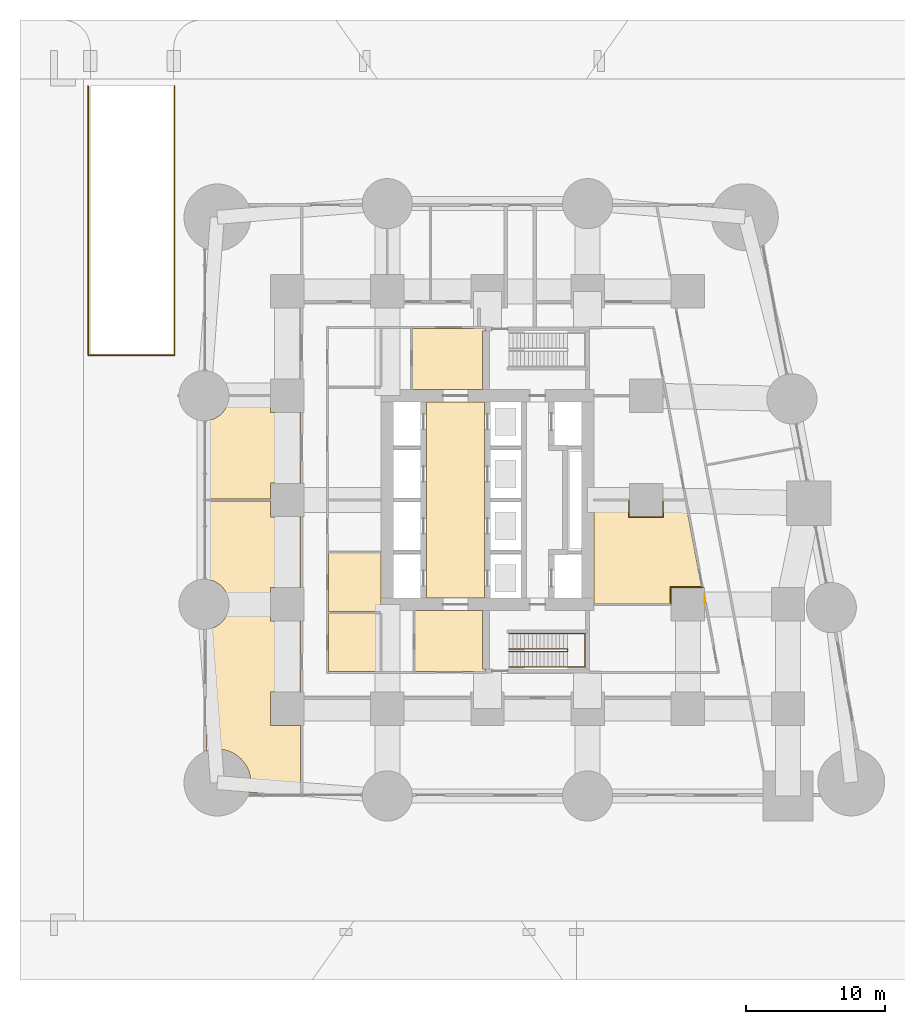
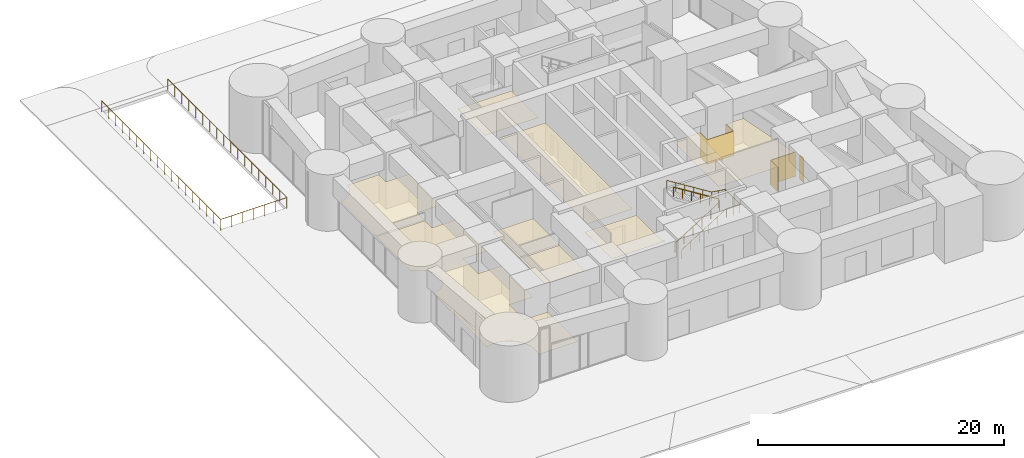
# One storey, part 14 of 16: 11 coverings, 3 railings.
"""IFC4 building model written with IfcOpenShell, lengths in metres."""

from ifc_helpers import new_model, si_unit, direction, frame, origin, origin_2d, place, context, subcontext, project, spatial, polyline, circle, outline, extrude, material, layer, layer_set, type_object, element, save


model = new_model("IFC4")

# Units and contexts
model_context = context("Model", 3, precision=1e-05, world=origin(), true_north=direction((0.0, 1.0)))
body_context = subcontext(model_context, "Body", "Model", "MODEL_VIEW")
ifc_project = project(units=[si_unit("LENGTHUNIT", "METRE"), si_unit("AREAUNIT", "SQUARE_METRE"), si_unit("VOLUMEUNIT", "CUBIC_METRE"), si_unit("PLANEANGLEUNIT", "RADIAN"), si_unit("MASSUNIT", "GRAM", prefix="KILO")], contexts=[model_context])

# Site, building, storey
site_placement = place(None, origin())
site = spatial("IfcSite", under=ifc_project, at=site_placement, CompositionType="ELEMENT")
building_placement = place(site_placement, origin())
building = spatial("IfcBuilding", under=site, at=building_placement, Name="Sheger Commons Tower", CompositionType="ELEMENT")
storey_placement = place(building_placement, origin())
storey = spatial("IfcBuildingStorey", under=building, at=storey_placement, Name="L00", CompositionType="ELEMENT", Elevation=0.0)

# Railings
ifc_material_1 = material(Name="Steel handrail, black powder-coated", Category="steel")
railing_type_1 = type_object("IfcRailingType", Name="HANDRAIL 900", PredefinedType="HANDRAIL", material=ifc_material_1)
railing_1_placement = place(storey_placement, frame((23.14990234375, 11.60009765625, 0.175048828125)))
element("IfcRailing", 1, at=railing_1_placement, inside=storey, type_object=railing_type_1, Name="Stair S1 handrail L00", PredefinedType="HANDRAIL", context=body_context, shape_type="SweptSolid", body=[
    extrude(circle(Radius=0.02392578125, at=origin_2d()), frame((0.0, 0.0, 0.8759765625), z_axis=(0.848009380541, 0.0, 0.529981217134), x_axis=(0.0, 1.0, 0.0)), (0.0, 0.0, 1.0), 4.953125),
    extrude(circle(Radius=0.02392578125, at=origin_2d()), frame((4.2001953125, 0.0, 3.5009765625), z_axis=(0.0, 0.752405939678, 0.658699705433), x_axis=(-1.0, 0.0, 0.0)), (0.0, 0.0, 1.0), 0.265869140625),
    extrude(circle(Radius=0.02392578125, at=origin_2d()), frame((4.2001953125, 0.199951171875, 3.67578125), z_axis=(-0.848009380541, 0.0, 0.529981217134), x_axis=(0.0, -1.0, 0.0)), (0.0, 0.0, 1.0), 4.953125),
    extrude(circle(Radius=0.02099609375, at=origin_2d()), origin(), (0.0, 0.0, 1.0), 0.851806640625),
    extrude(circle(Radius=0.02099609375, at=origin_2d()), frame((0.840087890625, 0.0, 0.52490234375)), (0.0, 0.0, 1.0), 0.851806640625),
    extrude(circle(Radius=0.02099609375, at=origin_2d()), frame((1.68017578125, 0.0, 1.050048828125)), (0.0, 0.0, 1.0), 0.851806640625),
    extrude(circle(Radius=0.02099609375, at=origin_2d()), frame((2.52001953125, 0.0, 1.574951171875)), (0.0, 0.0, 1.0), 0.851806640625),
    extrude(circle(Radius=0.02099609375, at=origin_2d()), frame((3.360107421875, 0.0, 2.10009765625)), (0.0, 0.0, 1.0), 0.851806640625),
    extrude(circle(Radius=0.02099609375, at=origin_2d()), frame((4.2001953125, 0.0, 2.625)), (0.0, 0.0, 1.0), 0.851806640625),
    extrude(circle(Radius=0.02099609375, at=origin_2d()), frame((4.2001953125, 0.199951171875, 2.800048828125)), (0.0, 0.0, 1.0), 0.851806640625),
    extrude(circle(Radius=0.02099609375, at=origin_2d()), frame((3.360107421875, 0.199951171875, 3.324951171875)), (0.0, 0.0, 1.0), 0.851806640625),
    extrude(circle(Radius=0.02099609375, at=origin_2d()), frame((2.52001953125, 0.199951171875, 3.85009765625)), (0.0, 0.0, 1.0), 0.851806640625),
    extrude(circle(Radius=0.02099609375, at=origin_2d()), frame((1.68017578125, 0.199951171875, 4.375)), (0.0, 0.0, 1.0), 0.851806640625),
    extrude(circle(Radius=0.02099609375, at=origin_2d()), frame((0.840087890625, 0.199951171875, 4.900146484375)), (0.0, 0.0, 1.0), 0.851806640625),
    extrude(circle(Radius=0.02099609375, at=origin_2d()), frame((0.0, 0.199951171875, 5.425048828125)), (0.0, 0.0, 1.0), 0.851806640625),
])
railing_2_placement = place(storey_placement, frame((23.14990234375, 10.5, 0.175048828125)))
element("IfcRailing", 2, at=railing_2_placement, inside=storey, type_object=railing_type_1, Name="Stair S1 handrail L00", PredefinedType="HANDRAIL", context=body_context, shape_type="SweptSolid", body=[
    extrude(circle(Radius=0.02392578125, at=origin_2d()), frame((0.0, 0.0, 0.8759765625), z_axis=(0.848009380541, 0.0, 0.529981217134), x_axis=(0.0, 1.0, 0.0)), (0.0, 0.0, 1.0), 4.953125),
    extrude(circle(Radius=0.02392578125, at=origin_2d()), frame((4.2001953125, 0.0, 3.5009765625), z_axis=(1.0, 0.0, 0.0), x_axis=(0.0, 1.0, 0.0)), (0.0, 0.0, 1.0), 1.25),
    extrude(circle(Radius=0.02392578125, at=origin_2d()), frame((5.4501953125, 0.0, 3.5009765625), z_axis=(0.0, 1.0, 0.0), x_axis=(-1.0, 0.0, 0.0)), (0.0, 0.0, 1.0), 2.39990234375),
    extrude(circle(Radius=0.02392578125, at=origin_2d()), frame((5.4501953125, 2.39990234375, 3.5009765625), z_axis=(-0.990336434156, 0.0, 0.138685785799), x_axis=(0.0, -1.0, 0.0)), (0.0, 0.0, 1.0), 1.26220703125),
    extrude(circle(Radius=0.02392578125, at=origin_2d()), frame((4.2001953125, 2.39990234375, 3.67578125), z_axis=(-0.848009380541, 0.0, 0.529981217134), x_axis=(0.0, -1.0, 0.0)), (0.0, 0.0, 1.0), 4.953125),
    extrude(circle(Radius=0.02099609375, at=origin_2d()), origin(), (0.0, 0.0, 1.0), 0.851806640625),
    extrude(circle(Radius=0.02099609375, at=origin_2d()), frame((0.840087890625, 0.0, 0.52490234375)), (0.0, 0.0, 1.0), 0.851806640625),
    extrude(circle(Radius=0.02099609375, at=origin_2d()), frame((1.68017578125, 0.0, 1.050048828125)), (0.0, 0.0, 1.0), 0.851806640625),
    extrude(circle(Radius=0.02099609375, at=origin_2d()), frame((2.52001953125, 0.0, 1.574951171875)), (0.0, 0.0, 1.0), 0.851806640625),
    extrude(circle(Radius=0.02099609375, at=origin_2d()), frame((3.360107421875, 0.0, 2.10009765625)), (0.0, 0.0, 1.0), 0.851806640625),
    extrude(circle(Radius=0.02099609375, at=origin_2d()), frame((4.2001953125, 0.0, 2.625)), (0.0, 0.0, 1.0), 0.851806640625),
    extrude(circle(Radius=0.02099609375, at=origin_2d()), frame((4.8251953125, 0.0, 2.625)), (0.0, 0.0, 1.0), 0.851806640625),
    extrude(circle(Radius=0.02099609375, at=origin_2d()), frame((5.4501953125, 0.0, 2.625)), (0.0, 0.0, 1.0), 0.851806640625),
    extrude(circle(Radius=0.02099609375, at=origin_2d()), frame((5.4501953125, 1.199951171875, 2.625)), (0.0, 0.0, 1.0), 0.851806640625),
    extrude(circle(Radius=0.02099609375, at=origin_2d()), frame((5.4501953125, 2.39990234375, 2.625)), (0.0, 0.0, 1.0), 0.851806640625),
    extrude(circle(Radius=0.02099609375, at=origin_2d()), frame((4.8251953125, 2.39990234375, 2.71240234375)), (0.0, 0.0, 1.0), 0.851806640625),
    extrude(circle(Radius=0.02099609375, at=origin_2d()), frame((4.2001953125, 2.39990234375, 2.800048828125)), (0.0, 0.0, 1.0), 0.851806640625),
    extrude(circle(Radius=0.02099609375, at=origin_2d()), frame((3.360107421875, 2.39990234375, 3.324951171875)), (0.0, 0.0, 1.0), 0.851806640625),
    extrude(circle(Radius=0.02099609375, at=origin_2d()), frame((2.52001953125, 2.39990234375, 3.85009765625)), (0.0, 0.0, 1.0), 0.851806640625),
    extrude(circle(Radius=0.02099609375, at=origin_2d()), frame((1.68017578125, 2.39990234375, 4.375)), (0.0, 0.0, 1.0), 0.851806640625),
    extrude(circle(Radius=0.02099609375, at=origin_2d()), frame((0.840087890625, 2.39990234375, 4.900146484375)), (0.0, 0.0, 1.0), 0.851806640625),
    extrude(circle(Radius=0.02099609375, at=origin_2d()), frame((0.0, 2.39990234375, 5.425048828125)), (0.0, 0.0, 1.0), 0.851806640625),
])

# Coverings
ifc_material_2 = material(Name="Moisture-resistant gypsum plasterboard 15 mm on a suspended galvanised steel grid", Category="steel")
ifc_layer_1 = layer(ifc_material_2, 0.014892578125)
ifc_layer_set_1 = layer_set([ifc_layer_1], Name="MOISTURE-RESISTANT CEILING 15")
covering_type_1 = type_object("IfcCoveringType", Name="MOISTURE-RESISTANT CEILING 15", PredefinedType="CEILING", material=ifc_layer_set_1)
covering_1_placement = place(storey_placement, frame((0.0, 0.0, 2.39990234375)))
element("IfcCovering", 3, at=covering_1_placement, inside=storey, type_object=covering_type_1, Name="L00-SVW0 ceiling", PredefinedType="CEILING", context=body_context, shape_type="SweptSolid", body=[
    extrude(outline(polyline([(10.16796875, 10.16796875), (13.882080078125, 10.16796875), (13.882080078125, 14.33203125), (10.16796875, 14.33203125), (10.16796875, 10.16796875)])), origin(), (0.0, 0.0, 1.0), 0.01513671875),
])
covering_2_placement = place(storey_placement, frame((0.0, 0.0, 2.39990234375)))
element("IfcCovering", 4, at=covering_2_placement, inside=storey, type_object=covering_type_1, Name="L00-SVE1 ceiling", PredefinedType="CEILING", context=body_context, shape_type="SweptSolid", body=[
    extrude(outline(polyline([(29.2548828125, 15.068115234375), (34.794921875, 15.068115234375), (34.794921875, 16.205078125), (36.991943359375, 16.205078125), (35.802978515625, 22.4990234375), (35.801025390625, 22.4990234375), (35.801025390625, 22.43310546875), (34.205078125, 22.43310546875), (34.205078125, 21.294921875), (31.794921875, 21.294921875), (31.794921875, 22.43310546875), (29.2548828125, 22.43310546875), (29.2548828125, 15.068115234375)])), origin(), (0.0, 0.0, 1.0), 0.01513671875),
])
covering_3_placement = place(storey_placement, frame((0.0, 0.0, 2.39990234375)))
element("IfcCovering", 5, at=covering_3_placement, inside=storey, type_object=covering_type_1, Name="L00-SVW1 ceiling", PredefinedType="CEILING", context=body_context, shape_type="SweptSolid", body=[
    extrude(outline(polyline([(13.89306640625, 14.39990234375), (13.949951171875, 14.39990234375), (13.949951171875, 14.544921875), (13.945068359375, 14.544921875), (13.945068359375, 15.455078125), (13.949951171875, 15.455078125), (13.949951171875, 18.68310546875), (10.16796875, 18.68310546875), (10.16796875, 14.468017578125), (13.89306640625, 14.468017578125), (13.89306640625, 14.39990234375)])), origin(), (0.0, 0.0, 1.0), 0.01513671875),
])
ifc_material_3 = material(Name="Gypsum plasterboard 15 mm on a suspended steel grid", Category="steel")
ifc_layer_2 = layer(ifc_material_3, 0.014892578125)
ifc_layer_set_2 = layer_set([ifc_layer_2], Name="SUSPENDED CEILING 15")
covering_type_2 = type_object("IfcCoveringType", Name="SUSPENDED CEILING 15", PredefinedType="CEILING", material=ifc_layer_set_2)
covering_4_placement = place(storey_placement, frame((0.0, 0.0, 2.699951171875)))
element("IfcCovering", 6, at=covering_4_placement, inside=storey, type_object=covering_type_2, Name="L00-RW1 ceiling", PredefinedType="CEILING", context=body_context, shape_type="SweptSolid", body=[
    extrude(outline(polyline([(4.467041015625, 1.429931640625), (8.169921875, 1.429931640625), (8.169921875, 6.294921875), (5.9951171875, 6.294921875), (5.9951171875, 8.705078125), (8.169921875, 8.705078125), (8.169921875, 13.794921875), (5.9951171875, 13.794921875), (5.9951171875, 16.205078125), (8.169921875, 16.205078125), (8.169921875, 21.294921875), (5.9951171875, 21.294921875), (5.9951171875, 22.445068359375), (1.429931640625, 22.445068359375), (1.429931640625, 16.7958984375), (1.4208984375, 16.7958984375), (1.4208984375, 16.79296875), (1.56103515625, 16.77294921875), (1.576904296875, 16.77001953125), (1.7490234375, 16.72705078125), (1.916015625, 16.66796875), (2.075927734375, 16.592041015625), (2.22802734375, 16.5009765625), (2.3701171875, 16.39501953125), (2.5009765625, 16.27587890625), (2.6201171875, 16.14501953125), (2.72607421875, 16.0029296875), (2.81689453125, 15.85107421875), (2.89306640625, 15.69091796875), (2.951904296875, 15.52392578125), (2.9951171875, 15.35205078125), (3.02099609375, 15.177001953125), (3.030029296875, 15.0), (3.02099609375, 14.822998046875), (2.9951171875, 14.64794921875), (2.951904296875, 14.47607421875), (2.89306640625, 14.30908203125), (2.81689453125, 14.14892578125), (2.72607421875, 13.9970703125), (2.6201171875, 13.85498046875), (2.5009765625, 13.72412109375), (2.3701171875, 13.60498046875), (2.22802734375, 13.4990234375), (2.075927734375, 13.407958984375), (1.916015625, 13.33203125), (1.7490234375, 13.27294921875), (1.576904296875, 13.22998046875), (1.405029296875, 13.2041015625), (1.405029296875, 4.4580078125), (1.488037109375, 4.487060546875), (1.717041015625, 4.544921875), (1.949951171875, 4.5791015625), (2.18603515625, 4.591064453125), (2.422119140625, 4.5791015625), (2.655029296875, 4.544921875), (2.884033203125, 4.487060546875), (3.10595703125, 4.407958984375), (3.320068359375, 4.306884765625), (3.52197265625, 4.18603515625), (3.7119140625, 4.044921875), (3.886962890625, 3.886962890625), (4.044921875, 3.7119140625), (4.18603515625, 3.52197265625), (4.306884765625, 3.320068359375), (4.407958984375, 3.10595703125), (4.487060546875, 2.884033203125), (4.544921875, 2.655029296875), (4.5791015625, 2.422119140625), (4.591064453125, 2.18603515625), (4.5791015625, 1.949951171875), (4.544921875, 1.717041015625), (4.487060546875, 1.488037109375), (4.467041015625, 1.429931640625)])), origin(), (0.0, 0.0, 1.0), 0.01513671875),
])
covering_5_placement = place(storey_placement, frame((0.0, 0.0, 2.699951171875)))
element("IfcCovering", 7, at=covering_5_placement, inside=storey, type_object=covering_type_2, Name="L00-RW2 ceiling", PredefinedType="CEILING", context=body_context, shape_type="SweptSolid", body=[
    extrude(outline(polyline([(1.429931640625, 22.554931640625), (5.9951171875, 22.554931640625), (5.9951171875, 23.705078125), (8.169921875, 23.705078125), (8.169921875, 28.794921875), (5.9951171875, 28.794921875), (5.9951171875, 29.945068359375), (3.027099609375, 29.945068359375), (3.02099609375, 29.822998046875), (2.9951171875, 29.64794921875), (2.951904296875, 29.47607421875), (2.89306640625, 29.30908203125), (2.81689453125, 29.14892578125), (2.72607421875, 28.9970703125), (2.6201171875, 28.85498046875), (2.5009765625, 28.72412109375), (2.3701171875, 28.60498046875), (2.22802734375, 28.4990234375), (2.075927734375, 28.407958984375), (1.916015625, 28.33203125), (1.7490234375, 28.27294921875), (1.576904296875, 28.22998046875), (1.571044921875, 28.22900390625), (1.4208984375, 28.20703125), (1.4208984375, 28.2041015625), (1.429931640625, 28.2041015625), (1.429931640625, 22.554931640625)])), origin(), (0.0, 0.0, 1.0), 0.01513671875),
])
covering_6_placement = place(storey_placement, frame((0.0, 0.0, 2.699951171875)))
element("IfcCovering", 8, at=covering_6_placement, inside=storey, type_object=covering_type_2, Name="L00-SVS1 ceiling", PredefinedType="CEILING", context=body_context, shape_type="SweptSolid", body=[
    extrude(outline(polyline([(16.406982421875, 10.16796875), (21.445068359375, 10.16796875), (21.445068359375, 10.344970703125), (21.2451171875, 10.344970703125), (21.2451171875, 14.544921875), (16.406982421875, 14.544921875), (16.406982421875, 10.16796875)])), origin(), (0.0, 0.0, 1.0), 0.01513671875),
])
covering_7_placement = place(storey_placement, frame((0.0, 0.0, 2.699951171875)))
element("IfcCovering", 9, at=covering_7_placement, inside=storey, type_object=covering_type_2, Name="L00-SVN1 ceiling", PredefinedType="CEILING", context=body_context, shape_type="SweptSolid", body=[
    extrude(outline(polyline([(16.217041015625, 30.455078125), (21.2451171875, 30.455078125), (21.2451171875, 34.655029296875), (21.445068359375, 34.655029296875), (21.445068359375, 34.83203125), (16.217041015625, 34.83203125), (16.217041015625, 30.455078125)])), origin(), (0.0, 0.0, 1.0), 0.01513671875),
])
covering_8_placement = place(storey_placement, frame((0.0, 0.0, 2.699951171875)))
element("IfcCovering", 10, at=covering_8_placement, inside=storey, type_object=covering_type_2, Name="L00-LL ceiling", PredefinedType="CEILING", context=body_context, shape_type="SweptSolid", body=[
    extrude(outline(polyline([(17.205078125, 15.455078125), (21.39990234375, 15.455078125), (21.39990234375, 29.544921875), (17.205078125, 29.544921875), (17.205078125, 15.455078125)])), origin(), (0.0, 0.0, 1.0), 0.01513671875),
])

# Railing
ifc_material_4 = material(Name="Galvanised steel vehicle barrier rail", Category="steel")
railing_type_2 = type_object("IfcRailingType", Name="VEHICLE GUARD 1100", PredefinedType="GUARDRAIL", material=ifc_material_4)
railing_3_placement = place(storey_placement, frame((-7.10009765625, 52.25, 0.0)))
element("IfcRailing", 11, at=railing_3_placement, inside=storey, type_object=railing_type_2, Name="R1 ramp opening guard", PredefinedType="GUARDRAIL", context=body_context, shape_type="SweptSolid", body=[
    extrude(circle(Radius=0.02392578125, at=origin_2d()), frame((0.0, 0.0, 1.0771484375), z_axis=(0.0, -1.0, 0.0), x_axis=(1.0, 0.0, 0.0)), (0.0, 0.0, 1.0), 19.35009765625),
    extrude(circle(Radius=0.02392578125, at=origin_2d()), frame((0.0, -19.35009765625, 1.0771484375), z_axis=(1.0, 0.0, 0.0), x_axis=(0.0, 1.0, 0.0)), (0.0, 0.0, 1.0), 6.2001953125),
    extrude(circle(Radius=0.02392578125, at=origin_2d()), frame((6.2001953125, -19.35009765625, 1.0771484375), z_axis=(0.0, 1.0, 0.0), x_axis=(-1.0, 0.0, 0.0)), (0.0, 0.0, 1.0), 19.35009765625),
    extrude(circle(Radius=0.02099609375, at=origin_2d()), origin(), (0.0, 0.0, 1.0), 1.052001953125),
    extrude(circle(Radius=0.02099609375, at=origin_2d()), frame((0.0, -1.13818359375, 0.0)), (0.0, 0.0, 1.0), 1.052001953125),
    extrude(circle(Radius=0.02099609375, at=origin_2d()), frame((0.0, -2.2763671875, 0.0)), (0.0, 0.0, 1.0), 1.052001953125),
    extrude(circle(Radius=0.02099609375, at=origin_2d()), frame((0.0, -3.414794921875, 0.0)), (0.0, 0.0, 1.0), 1.052001953125),
    extrude(circle(Radius=0.02099609375, at=origin_2d()), frame((0.0, -4.552978515625, 0.0)), (0.0, 0.0, 1.0), 1.052001953125),
    extrude(circle(Radius=0.02099609375, at=origin_2d()), frame((0.0, -5.691162109375, 0.0)), (0.0, 0.0, 1.0), 1.052001953125),
    extrude(circle(Radius=0.02099609375, at=origin_2d()), frame((0.0, -6.829345703125, 0.0)), (0.0, 0.0, 1.0), 1.052001953125),
    extrude(circle(Radius=0.02099609375, at=origin_2d()), frame((0.0, -7.9677734375, 0.0)), (0.0, 0.0, 1.0), 1.052001953125),
    extrude(circle(Radius=0.02099609375, at=origin_2d()), frame((0.0, -9.10595703125, 0.0)), (0.0, 0.0, 1.0), 1.052001953125),
    extrude(circle(Radius=0.02099609375, at=origin_2d()), frame((0.0, -10.244140625, 0.0)), (0.0, 0.0, 1.0), 1.052001953125),
    extrude(circle(Radius=0.02099609375, at=origin_2d()), frame((0.0, -11.38232421875, 0.0)), (0.0, 0.0, 1.0), 1.052001953125),
    extrude(circle(Radius=0.02099609375, at=origin_2d()), frame((0.0, -12.520751953125, 0.0)), (0.0, 0.0, 1.0), 1.052001953125),
    extrude(circle(Radius=0.02099609375, at=origin_2d()), frame((0.0, -13.658935546875, 0.0)), (0.0, 0.0, 1.0), 1.052001953125),
    extrude(circle(Radius=0.02099609375, at=origin_2d()), frame((0.0, -14.797119140625, 0.0)), (0.0, 0.0, 1.0), 1.052001953125),
    extrude(circle(Radius=0.02099609375, at=origin_2d()), frame((0.0, -15.935302734375, 0.0)), (0.0, 0.0, 1.0), 1.052001953125),
    extrude(circle(Radius=0.02099609375, at=origin_2d()), frame((0.0, -17.07373046875, 0.0)), (0.0, 0.0, 1.0), 1.052001953125),
    extrude(circle(Radius=0.02099609375, at=origin_2d()), frame((0.0, -18.2119140625, 0.0)), (0.0, 0.0, 1.0), 1.052001953125),
    extrude(circle(Radius=0.02099609375, at=origin_2d()), frame((0.0, -19.35009765625, 0.0)), (0.0, 0.0, 1.0), 1.052001953125),
    extrude(circle(Radius=0.02099609375, at=origin_2d()), frame((1.033447265625, -19.35009765625, 0.0)), (0.0, 0.0, 1.0), 1.052001953125),
    extrude(circle(Radius=0.02099609375, at=origin_2d()), frame((2.066650390625, -19.35009765625, 0.0)), (0.0, 0.0, 1.0), 1.052001953125),
    extrude(circle(Radius=0.02099609375, at=origin_2d()), frame((3.10009765625, -19.35009765625, 0.0)), (0.0, 0.0, 1.0), 1.052001953125),
    extrude(circle(Radius=0.02099609375, at=origin_2d()), frame((4.133544921875, -19.35009765625, 0.0)), (0.0, 0.0, 1.0), 1.052001953125),
    extrude(circle(Radius=0.02099609375, at=origin_2d()), frame((5.166748046875, -19.35009765625, 0.0)), (0.0, 0.0, 1.0), 1.052001953125),
    extrude(circle(Radius=0.02099609375, at=origin_2d()), frame((6.2001953125, -19.35009765625, 0.0)), (0.0, 0.0, 1.0), 1.052001953125),
    extrude(circle(Radius=0.02099609375, at=origin_2d()), frame((6.2001953125, -18.2119140625, 0.0)), (0.0, 0.0, 1.0), 1.052001953125),
    extrude(circle(Radius=0.02099609375, at=origin_2d()), frame((6.2001953125, -17.07373046875, 0.0)), (0.0, 0.0, 1.0), 1.052001953125),
    extrude(circle(Radius=0.02099609375, at=origin_2d()), frame((6.2001953125, -15.935302734375, 0.0)), (0.0, 0.0, 1.0), 1.052001953125),
    extrude(circle(Radius=0.02099609375, at=origin_2d()), frame((6.2001953125, -14.797119140625, 0.0)), (0.0, 0.0, 1.0), 1.052001953125),
    extrude(circle(Radius=0.02099609375, at=origin_2d()), frame((6.2001953125, -13.658935546875, 0.0)), (0.0, 0.0, 1.0), 1.052001953125),
    extrude(circle(Radius=0.02099609375, at=origin_2d()), frame((6.2001953125, -12.520751953125, 0.0)), (0.0, 0.0, 1.0), 1.052001953125),
    extrude(circle(Radius=0.02099609375, at=origin_2d()), frame((6.2001953125, -11.38232421875, 0.0)), (0.0, 0.0, 1.0), 1.052001953125),
    extrude(circle(Radius=0.02099609375, at=origin_2d()), frame((6.2001953125, -10.244140625, 0.0)), (0.0, 0.0, 1.0), 1.052001953125),
    extrude(circle(Radius=0.02099609375, at=origin_2d()), frame((6.2001953125, -9.10595703125, 0.0)), (0.0, 0.0, 1.0), 1.052001953125),
    extrude(circle(Radius=0.02099609375, at=origin_2d()), frame((6.2001953125, -7.9677734375, 0.0)), (0.0, 0.0, 1.0), 1.052001953125),
    extrude(circle(Radius=0.02099609375, at=origin_2d()), frame((6.2001953125, -6.829345703125, 0.0)), (0.0, 0.0, 1.0), 1.052001953125),
    extrude(circle(Radius=0.02099609375, at=origin_2d()), frame((6.2001953125, -5.691162109375, 0.0)), (0.0, 0.0, 1.0), 1.052001953125),
    extrude(circle(Radius=0.02099609375, at=origin_2d()), frame((6.2001953125, -4.552978515625, 0.0)), (0.0, 0.0, 1.0), 1.052001953125),
    extrude(circle(Radius=0.02099609375, at=origin_2d()), frame((6.2001953125, -3.414794921875, 0.0)), (0.0, 0.0, 1.0), 1.052001953125),
    extrude(circle(Radius=0.02099609375, at=origin_2d()), frame((6.2001953125, -2.2763671875, 0.0)), (0.0, 0.0, 1.0), 1.052001953125),
    extrude(circle(Radius=0.02099609375, at=origin_2d()), frame((6.2001953125, -1.13818359375, 0.0)), (0.0, 0.0, 1.0), 1.052001953125),
    extrude(circle(Radius=0.02099609375, at=origin_2d()), frame((6.2001953125, 0.0, 0.0)), (0.0, 0.0, 1.0), 1.052001953125),
])

# Coverings
ifc_material_5 = material(Name="Moisture-resistant gypsum board 12.5 mm on 25 mm treated timber battens, tanked and tiled", Category="wood")
ifc_layer_3 = layer(ifc_material_5, 0.050048828125)
ifc_layer_set_3 = layer_set([ifc_layer_3], Name="WET-ROOM COLUMN LINING")
covering_type_3 = type_object("IfcCoveringType", Name="WET-ROOM COLUMN LINING", PredefinedType="CLADDING", material=ifc_layer_set_3)
covering_9_placement = place(storey_placement, origin())
element("IfcCovering", 12, at=covering_9_placement, inside=storey, type_object=covering_type_3, Name="Staff WC column lining C5 L00", PredefinedType="CLADDING", context=body_context, shape_type="SweptSolid", body=[
    extrude(outline(polyline([(36.988037109375, 16.25), (36.998046875, 16.200927734375), (37.10791015625, 16.221923828125), (37.112060546875, 16.199951171875), (34.800048828125, 16.199951171875), (34.800048828125, 15.0), (34.799072265625, 15.0), (34.799072265625, 15.06201171875), (34.75, 15.06201171875), (34.75, 16.25), (36.988037109375, 16.25)])), origin(), (0.0, 0.0, 1.0), 2.39990234375),
])
covering_10_placement = place(storey_placement, origin())
element("IfcCovering", 13, at=covering_10_placement, inside=storey, type_object=covering_type_3, Name="Staff WC column lining C5 L00", PredefinedType="CLADDING", context=body_context, shape_type="SweptSolid", body=[
    extrude(outline(polyline([(37.199951171875, 15.0), (37.199951171875, 15.736083984375), (37.25, 15.470947265625), (37.25, 15.138916015625), (37.200927734375, 15.12890625), (37.22509765625, 15.0), (37.199951171875, 15.0)])), origin(), (0.0, 0.0, 1.0), 2.39990234375),
])
covering_11_placement = place(storey_placement, origin())
element("IfcCovering", 14, at=covering_11_placement, inside=storey, type_object=covering_type_3, Name="Staff WC column lining C5 L00", PredefinedType="CLADDING", context=body_context, shape_type="SweptSolid", body=[
    extrude(outline(polyline([(31.800048828125, 22.5), (31.800048828125, 21.300048828125), (34.199951171875, 21.300048828125), (34.199951171875, 22.5), (34.200927734375, 22.5), (34.200927734375, 22.43798828125), (34.25, 22.43798828125), (34.25, 21.25), (31.75, 21.25), (31.75, 22.43798828125), (31.799072265625, 22.43798828125), (31.799072265625, 22.5), (31.800048828125, 22.5)])), origin(), (0.0, 0.0, 1.0), 2.39990234375),
])

save(model, "model.ifc")
